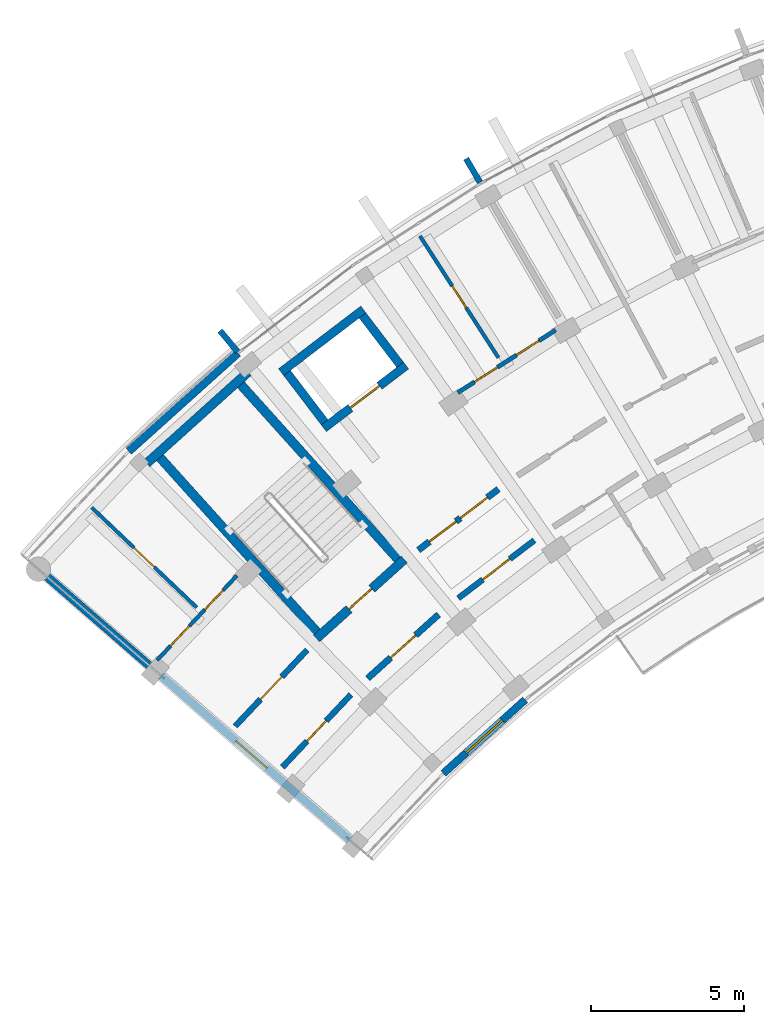
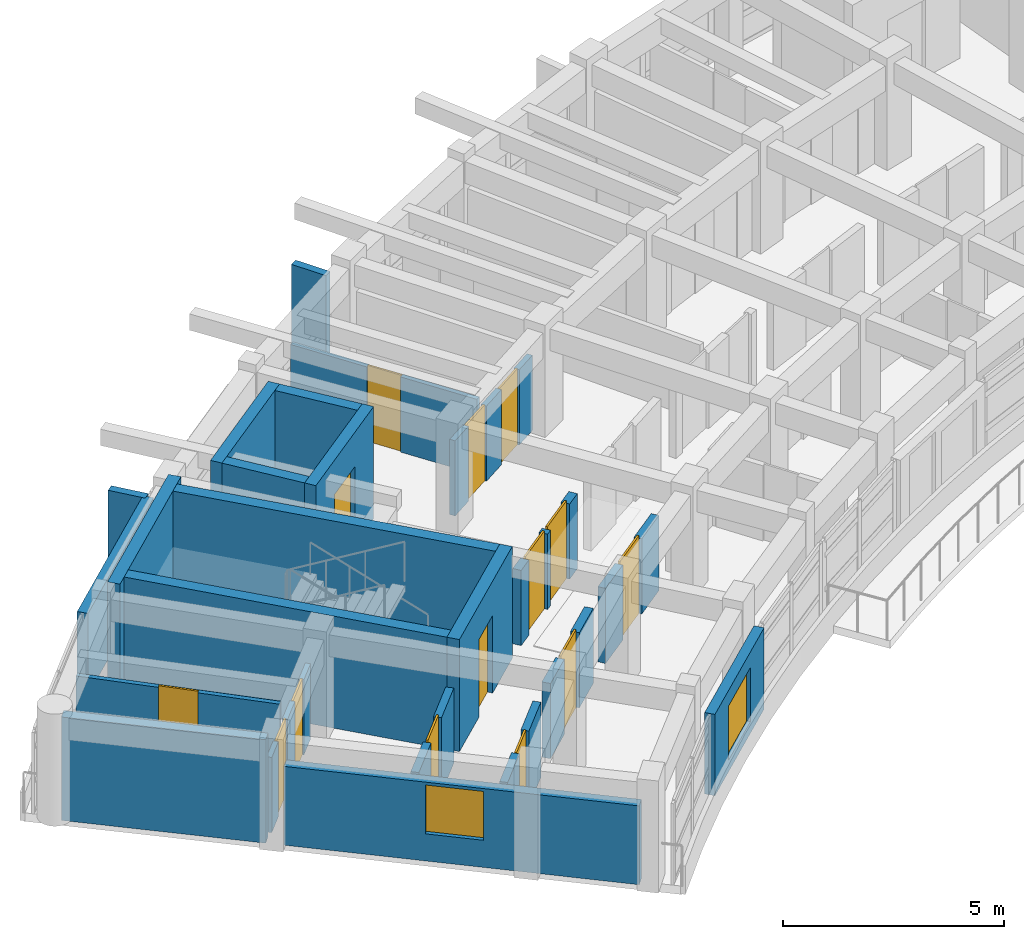
# One storey, part 27 of 56: 23 walls, 14 doors, 2 windows, 16 openings.
"""IFC4 building model written with IfcOpenShell, lengths in metres."""

from ifc_helpers import new_model, si_unit, direction, frame, frame_2d, origin, place, context, subcontext, project, spatial, rectangle, extrude, material, layer, layer_set, type_object, element, fill, save


model = new_model("IFC4")

# Units and contexts
model_context = context("Model", 3, precision=1e-05, world=origin(), true_north=direction((0.0, 1.0)))
body_context = subcontext(model_context, "Body", "Model", "MODEL_VIEW")
ifc_project = project(units=[si_unit("LENGTHUNIT", "METRE"), si_unit("AREAUNIT", "SQUARE_METRE"), si_unit("VOLUMEUNIT", "CUBIC_METRE"), si_unit("PLANEANGLEUNIT", "RADIAN"), si_unit("MASSUNIT", "GRAM", prefix="KILO")], contexts=[model_context])

# Site, building, storey
site_placement = place(None, origin())
site = spatial("IfcSite", under=ifc_project, at=site_placement, CompositionType="ELEMENT")
building_placement = place(site_placement, origin())
building = spatial("IfcBuilding", under=site, at=building_placement, Name="Zimvara Arc Housing Community", CompositionType="ELEMENT")
storey_placement = place(building_placement, frame((0.0, 0.0, 17.39990234375)))
storey = spatial("IfcBuildingStorey", under=building, at=storey_placement, Name="L05", CompositionType="ELEMENT", Elevation=17.39990234375)

# Wall, opening, window
ifc_material_1 = material(Name="Board-Marked Fair-Faced Concrete C35/45", Category="concrete")
ifc_layer_1 = layer(ifc_material_1, 0.264892578125)
ifc_layer_set_1 = layer_set([ifc_layer_1], Name="Board-Marked Fair-Faced Concrete C35/45")
wall_type_1 = type_object("IfcWallType", Name="EWL-CONC-265", PredefinedType="SOLIDWALL", material=ifc_layer_set_1)
wall_1_placement = place(storey_placement, frame((10.766357421875, 74.2587890625, 0.0), z_axis=(0.0, 0.0, 1.0), x_axis=(-0.754717680958, 0.656049710044, 0.0)))
wall_1 = element("IfcWall", 1, at=wall_1_placement, inside=storey, type_object=wall_type_1, Name="ewall:blkA:L05:g0", PredefinedType="SOLIDWALL", context=body_context, shape_type="SweptSolid", body=[
    extrude(rectangle(XDim=8.199951171875, YDim=0.264892578125, at=frame_2d((4.10009765625, 0.0))), origin(), (0.0, 0.0, 1.0), 2.18017578125),
])
opening_1_placement = place(wall_1_placement, frame((3.590087890625, 0.0, 0.75)))
opening_1 = element("IfcOpeningElement", 2, at=opening_1_placement, cuts=wall_1, Name="Opening W12", PredefinedType="OPENING", context=body_context, shape_type="SweptSolid", body=[
    extrude(rectangle(XDim=1.35009765625, YDim=1.35009765625, at=frame_2d((0.675048828125, 0.675048828125))), frame((0.0, 0.142333984375, 0.0), z_axis=(0.0, -1.0, 0.0), x_axis=(1.0, 0.0, 0.0)), (0.0, 0.0, 1.0), 0.284912109375),
])
ifc_material_2 = material(Name="Solar Control Low-E Double Glazing", Category="glass")
window_type_1 = type_object("IfcWindowType", Name="WIN-RES-1350x1350", PartitioningType="DOUBLE_PANEL_VERTICAL", PredefinedType="WINDOW", material=ifc_material_2)
window_1_placement = place(opening_1_placement, origin())
window_1 = element("IfcWindow", 3, at=window_1_placement, inside=storey, type_object=window_type_1, Name="win:blkA:L05:g0:w", OverallHeight=1.35009765625, OverallWidth=1.35009765625, PartitioningType="DOUBLE_PANEL_VERTICAL", PredefinedType="WINDOW", context=body_context, shape_type="SweptSolid", body=[
    extrude(rectangle(XDim=1.35009765625, YDim=1.35009765625, at=frame_2d((0.675048828125, 0.675048828125))), frame((0.0, 0.030029296875, 0.0), z_axis=(0.0, -1.0, 0.0), x_axis=(1.0, 0.0, 0.0)), (0.0, 0.0, 1.0), 0.06005859375),
])
fill(opening_1, window_1)

# Walls
ifc_material_3 = material(Name="Board-Marked Fair-Faced Concrete C35/45", Category="concrete")
ifc_layer_2 = layer(ifc_material_3, 0.195068359375)
ifc_layer_set_2 = layer_set([ifc_layer_2], Name="Board-Marked Fair-Faced Concrete C35/45")
wall_type_2 = type_object("IfcWallType", Name="EWL-PARA-195", PredefinedType="PARAPET", material=ifc_layer_set_2)
wall_2_placement = place(storey_placement, frame((7.09228515625, 90.25732421875, 0.0), z_axis=(0.0, 0.0, 1.0), x_axis=(-0.637967316825, 0.770063440674, 0.0)))
element("IfcWall", 4, at=wall_2_placement, inside=storey, type_object=wall_type_2, Name="finwall:blkA:L05:out:b2", PredefinedType="PARAPET", context=body_context, shape_type="SweptSolid", body=[
    extrude(rectangle(XDim=0.900146484375, YDim=0.195068359375, at=frame_2d((0.4501953125, 0.0))), origin(), (0.0, 0.0, 1.0), 2.25),
])
wall_3_placement = place(storey_placement, frame((15.038818359375, 95.8134765625, 0.0), z_axis=(0.0, 0.0, 1.0), x_axis=(-0.504326383773, 0.863513114336, 0.0)))
element("IfcWall", 5, at=wall_3_placement, inside=storey, type_object=wall_type_2, Name="finwall:blkA:L05:out:b4", PredefinedType="PARAPET", context=body_context, shape_type="SweptSolid", body=[
    extrude(rectangle(XDim=0.89990234375, YDim=0.195068359375, at=frame_2d((0.449951171875, 0.0))), origin(), (0.0, 0.0, 1.0), 2.25),
])

# Wall, opening, window
ifc_material_4 = material(Name="Pigmented Fair-Faced Concrete C35/45", Category="concrete")
ifc_layer_3 = layer(ifc_material_4, 0.2451171875)
ifc_layer_set_3 = layer_set([ifc_layer_3], Name="Pigmented Fair-Faced Concrete C35/45")
wall_type_3 = type_object("IfcWallType", Name="EWL-PIGM-245", PredefinedType="SOLIDWALL", material=ifc_layer_set_3)
wall_4_placement = place(storey_placement, frame((13.84033203125, 76.436767578125, 0.0), z_axis=(0.0, 0.0, 1.0), x_axis=(0.743385092197, 0.668863666751, 0.0)))
wall_4 = element("IfcWall", 6, at=wall_4_placement, inside=storey, type_object=wall_type_3, Name="ewall:blkA:L05:in:b1", PredefinedType="SOLIDWALL", context=body_context, shape_type="SweptSolid", body=[
    extrude(rectangle(XDim=3.603759765625, YDim=0.2451171875, at=frame_2d((1.8017578125, 0.0))), origin(), (0.0, 0.0, 1.0), 2.25),
])
opening_2_placement = place(wall_4_placement, frame((1.001708984375, 0.0, 0.320068359375)))
opening_2 = element("IfcOpeningElement", 7, at=opening_2_placement, cuts=wall_4, Name="Opening W03", PredefinedType="OPENING", context=body_context, shape_type="SweptSolid", body=[
    extrude(rectangle(XDim=1.60009765625, YDim=1.5, at=frame_2d((0.800048828125, 0.75))), frame((0.0, 0.132568359375, 0.0), z_axis=(0.0, -1.0, 0.0), x_axis=(1.0, 0.0, 0.0)), (0.0, 0.0, 1.0), 0.26513671875),
])
ifc_material_5 = material(Name="Solar Control Low-E Double Glazing", Category="glass")
window_type_2 = type_object("IfcWindowType", Name="WIN-RES-1600x1500", PartitioningType="DOUBLE_PANEL_VERTICAL", PredefinedType="WINDOW", material=ifc_material_5)
window_2_placement = place(opening_2_placement, origin())
window_2 = element("IfcWindow", 8, at=window_2_placement, inside=storey, type_object=window_type_2, Name="win:blkA:L05:in:b1", OverallHeight=1.5, OverallWidth=1.60009765625, PartitioningType="DOUBLE_PANEL_VERTICAL", PredefinedType="WINDOW", context=body_context, shape_type="SweptSolid", body=[
    extrude(rectangle(XDim=1.60009765625, YDim=1.5, at=frame_2d((0.800048828125, 0.75))), frame((0.0, 0.030029296875, 0.0), z_axis=(0.0, -1.0, 0.0), x_axis=(1.0, 0.0, 0.0)), (0.0, 0.0, 1.0), 0.06005859375),
])
fill(opening_2, window_2)

# Wall
ifc_material_6 = material(Name="Board-Marked Fair-Faced Concrete C35/45", Category="concrete")
ifc_layer_4 = layer(ifc_material_6, 0.258056640625)
ifc_layer_set_4 = layer_set([ifc_layer_4], Name="Board-Marked Fair-Faced Concrete C35/45")
wall_type_4 = type_object("IfcWallType", Name="EWL-VAR-19", PredefinedType="SOLIDWALL", material=ifc_layer_set_4)
wall_5_placement = place(storey_placement, frame((3.528076171875, 86.996826171875, 0.0), z_axis=(0.0, 0.0, 1.0), x_axis=(0.743387539862, 0.668860946369, 0.0)))
element("IfcWall", 9, at=wall_5_placement, inside=storey, type_object=wall_type_4, Name="ewall:blkA:L05:out:b1", PredefinedType="SOLIDWALL", context=body_context, shape_type="SweptSolid", body=[
    extrude(rectangle(XDim=4.80908203125, YDim=0.258056640625, at=frame_2d((2.404541015625, 0.0))), origin(), (0.0, 0.0, 1.0), 2.25),
])

# Wall, opening, door
ifc_material_7 = material(Name="Concrete C35/45", Category="concrete")
ifc_layer_5 = layer(ifc_material_7, 0.2099609375)
ifc_layer_set_5 = layer_set([ifc_layer_5], Name="Concrete C35/45")
wall_type_5 = type_object("IfcWallType", Name="IWL-CCF-210", PredefinedType="SOLIDWALL", material=ifc_layer_set_5)
wall_6_placement = place(storey_placement, frame((11.357177734375, 79.5517578125, 0.0), z_axis=(0.0, 0.0, 1.0), x_axis=(0.743387266925, 0.668861249718, 0.0)))
wall_6 = element("IfcWall", 10, at=wall_6_placement, inside=storey, type_object=wall_type_5, Name="iwall:blkA:L05:ccf_div:b1", PredefinedType="SOLIDWALL", context=body_context, shape_type="SweptSolid", body=[
    extrude(rectangle(XDim=3.12841796875, YDim=0.2099609375, at=frame_2d((1.564208984375, 0.0))), origin(), (0.0, 0.0, 1.0), 2.080078125),
])
opening_3_placement = place(wall_6_placement, frame((1.014404296875, 0.0, 0.0)))
opening_3 = element("IfcOpeningElement", 11, at=opening_3_placement, cuts=wall_6, Name="Opening FD-CCF1", PredefinedType="OPENING", context=body_context, shape_type="SweptSolid", body=[
    extrude(rectangle(XDim=1.10009765625, YDim=2.14990234375, at=frame_2d((0.550048828125, 1.074951171875))), frame((0.0, 0.114990234375, 0.0), z_axis=(0.0, -1.0, 0.0), x_axis=(1.0, 0.0, 0.0)), (0.0, 0.0, 1.0), 0.22998046875),
])
ifc_material_8 = material(Name="Anodised Aluminium AW-6063", Category="aluminium")
door_type_1 = type_object("IfcDoorType", Name="IDR-CCF-1100x2150", OperationType="NOTDEFINED", PredefinedType="DOOR", material=ifc_material_8)
door_1_placement = place(opening_3_placement, origin())
door_1 = element("IfcDoor", 12, at=door_1_placement, inside=storey, type_object=door_type_1, Name="idoor:blkA:L05:ccf_in:b1", OperationType="SINGLE_SWING_LEFT", OverallHeight=2.14990234375, OverallWidth=1.10009765625, PredefinedType="DOOR", context=body_context, shape_type="SweptSolid", body=[
    extrude(rectangle(XDim=1.10009765625, YDim=2.14990234375, at=frame_2d((0.550048828125, 1.074951171875))), frame((0.0, 0.02490234375, 0.0), z_axis=(0.0, -1.0, 0.0), x_axis=(1.0, 0.0, 0.0)), (0.0, 0.0, 1.0), 0.050048828125),
])
fill(opening_3, door_1)

# Wall, openings, doors
wall_7_placement = place(storey_placement, frame((13.021240234375, 83.758544921875, 0.0), z_axis=(0.0, 0.0, 1.0), x_axis=(0.795498026433, 0.605956178235, 0.0)))
wall_7 = element("IfcWall", 13, at=wall_7_placement, inside=storey, type_object=wall_type_5, Name="iwall:blkA:L05:ll_div:b2", PredefinedType="SOLIDWALL", context=body_context, shape_type="SweptSolid", body=[
    extrude(rectangle(XDim=3.296142578125, YDim=0.2099609375, at=frame_2d((1.64794921875, 0.0))), origin(), (0.0, 0.0, 1.0), 2.080078125),
])
opening_4_placement = place(wall_7_placement, frame((0.449951171875, 0.0, 0.0)))
opening_4 = element("IfcOpeningElement", 14, at=opening_4_placement, cuts=wall_7, Name="Opening FD-CCF1", PredefinedType="OPENING", context=body_context, shape_type="SweptSolid", body=[
    extrude(rectangle(XDim=1.10009765625, YDim=2.14990234375, at=frame_2d((0.550048828125, 1.074951171875))), frame((0.0, 0.114990234375, 0.0), z_axis=(0.0, -1.0, 0.0), x_axis=(1.0, 0.0, 0.0)), (0.0, 0.0, 1.0), 0.22998046875),
])
opening_5_placement = place(wall_7_placement, frame((1.72607421875, 0.0, 0.0)))
opening_5 = element("IfcOpeningElement", 15, at=opening_5_placement, cuts=wall_7, Name="Opening D07", PredefinedType="OPENING", context=body_context, shape_type="SweptSolid", body=[
    extrude(rectangle(XDim=1.1201171875, YDim=2.14990234375, at=frame_2d((0.56005859375, 1.074951171875))), frame((0.0, 0.114990234375, 0.0), z_axis=(0.0, -1.0, 0.0), x_axis=(1.0, 0.0, 0.0)), (0.0, 0.0, 1.0), 0.22998046875),
])
ifc_material_9 = material(Name="Mozambican Hardwood", Category="wood")
door_type_2 = type_object("IfcDoorType", Name="IDR-AMN-1120x2150", OperationType="NOTDEFINED", PredefinedType="DOOR", material=ifc_material_9)
door_2_placement = place(opening_5_placement, origin())
door_2 = element("IfcDoor", 16, at=door_2_placement, inside=storey, type_object=door_type_2, Name="idoor:blkA:L05:rs_in:b2", OperationType="SINGLE_SWING_LEFT", OverallHeight=2.14990234375, OverallWidth=1.1201171875, PredefinedType="DOOR", context=body_context, shape_type="SweptSolid", body=[
    extrude(rectangle(XDim=1.1201171875, YDim=2.14990234375, at=frame_2d((0.56005859375, 1.074951171875))), frame((0.0, 0.02490234375, 0.0), z_axis=(0.0, -1.0, 0.0), x_axis=(1.0, 0.0, 0.0)), (0.0, 0.0, 1.0), 0.050048828125),
])
fill(opening_5, door_2)
door_3_placement = place(opening_4_placement, origin())
door_3 = element("IfcDoor", 17, at=door_3_placement, inside=storey, type_object=door_type_1, Name="idoor:blkA:L05:ll_in:b2", OperationType="SINGLE_SWING_RIGHT", OverallHeight=2.14990234375, OverallWidth=1.10009765625, PredefinedType="DOOR", context=body_context, shape_type="SweptSolid", body=[
    extrude(rectangle(XDim=1.10009765625, YDim=2.14990234375, at=frame_2d((0.550048828125, 1.074951171875))), frame((0.0, 0.02490234375, 0.0), z_axis=(0.0, -1.0, 0.0), x_axis=(1.0, 0.0, 0.0)), (0.0, 0.0, 1.0), 0.050048828125),
])
fill(opening_4, door_3)

# Wall, opening, door
ifc_material_10 = material(Name="Concrete C35/45", Category="concrete")
ifc_layer_6 = layer(ifc_material_10, 0.18994140625)
ifc_layer_set_6 = layer_set([ifc_layer_6], Name="Concrete C35/45")
wall_type_6 = type_object("IfcWallType", Name="IWL-CORR-190", PredefinedType="SOLIDWALL", material=ifc_layer_set_6)
wall_8_placement = place(storey_placement, frame((7.01416015625, 77.98388671875, 0.0), z_axis=(0.0, 0.0, 1.0), x_axis=(0.686310507227, 0.727308660522, 0.0)))
wall_8 = element("IfcWall", 18, at=wall_8_placement, inside=storey, type_object=wall_type_6, Name="iwall:blkA:L05:corr_out:b0", PredefinedType="SOLIDWALL", context=body_context, shape_type="SweptSolid", body=[
    extrude(rectangle(XDim=3.43603515625, YDim=0.18994140625, at=frame_2d((1.718017578125, 0.0))), origin(), (0.0, 0.0, 1.0), 2.080078125),
])
opening_6_placement = place(wall_8_placement, frame((1.2080078125, 0.0, 0.0)))
opening_6 = element("IfcOpeningElement", 19, at=opening_6_placement, cuts=wall_8, Name="Opening FD-FL2", PredefinedType="OPENING", context=body_context, shape_type="SweptSolid", body=[
    extrude(rectangle(XDim=1.02001953125, YDim=2.14990234375, at=frame_2d((0.510009765625, 1.074951171875))), frame((0.0, 0.10498046875, 0.0), z_axis=(0.0, -1.0, 0.0), x_axis=(1.0, 0.0, 0.0)), (0.0, 0.0, 1.0), 0.2099609375),
])
ifc_material_11 = material(Name="Mozambican Hardwood", Category="wood")
door_type_3 = type_object("IfcDoorType", Name="IDR-FLAT-1020x2150", OperationType="NOTDEFINED", PredefinedType="DOOR", material=ifc_material_11)
door_4_placement = place(opening_6_placement, origin())
door_4 = element("IfcDoor", 20, at=door_4_placement, inside=storey, type_object=door_type_3, Name="idoor:blkA:L05:flat:b0", OperationType="SINGLE_SWING_RIGHT", OverallHeight=2.14990234375, OverallWidth=1.02001953125, PredefinedType="DOOR", context=body_context, shape_type="SweptSolid", body=[
    extrude(rectangle(XDim=1.02001953125, YDim=2.14990234375, at=frame_2d((0.510009765625, 1.074951171875))), frame((0.0, 0.02490234375, 0.0), z_axis=(0.0, -1.0, 0.0), x_axis=(1.0, 0.0, 0.0)), (0.0, 0.0, 1.0), 0.050048828125),
])
fill(opening_6, door_4)

wall_9_placement = place(storey_placement, frame((8.561279296875, 76.638916015625, 0.0), z_axis=(0.0, 0.0, 1.0), x_axis=(0.686307658735, 0.727311348434, 0.0)))
wall_9 = element("IfcWall", 21, at=wall_9_placement, inside=storey, type_object=wall_type_6, Name="iwall:blkA:L05:corr_in:b0", PredefinedType="SOLIDWALL", context=body_context, shape_type="SweptSolid", body=[
    extrude(rectangle(XDim=3.268798828125, YDim=0.18994140625, at=frame_2d((1.63427734375, 0.0))), origin(), (0.0, 0.0, 1.0), 2.080078125),
])
opening_7_placement = place(wall_9_placement, frame((1.17431640625, 0.0, 0.0)))
opening_7 = element("IfcOpeningElement", 22, at=opening_7_placement, cuts=wall_9, Name="Opening D02", PredefinedType="OPENING", context=body_context, shape_type="SweptSolid", body=[
    extrude(rectangle(XDim=0.919921875, YDim=2.10009765625, at=frame_2d((0.4599609375, 1.050048828125))), frame((0.0, 0.10498046875, 0.0), z_axis=(0.0, -1.0, 0.0), x_axis=(1.0, 0.0, 0.0)), (0.0, 0.0, 1.0), 0.2099609375),
])
ifc_material_12 = material(Name="Mozambican Hardwood", Category="wood")
door_type_4 = type_object("IfcDoorType", Name="IDR-RM-0920x2100", OperationType="NOTDEFINED", PredefinedType="DOOR", material=ifc_material_12)
door_5_placement = place(opening_7_placement, origin())
door_5 = element("IfcDoor", 23, at=door_5_placement, inside=storey, type_object=door_type_4, Name="idoor:blkA:L05:in_rm:b0", OperationType="SINGLE_SWING_LEFT", OverallHeight=2.10009765625, OverallWidth=0.919921875, PredefinedType="DOOR", context=body_context, shape_type="SweptSolid", body=[
    extrude(rectangle(XDim=0.919921875, YDim=2.10009765625, at=frame_2d((0.4599609375, 1.050048828125))), frame((0.0, 0.02490234375, 0.0), z_axis=(0.0, -1.0, 0.0), x_axis=(1.0, 0.0, 0.0)), (0.0, 0.0, 1.0), 0.050048828125),
])
fill(opening_7, door_5)

wall_10_placement = place(storey_placement, frame((14.3291015625, 82.179931640625, 0.0), z_axis=(0.0, 0.0, 1.0), x_axis=(0.795501577908, 0.605951515838, 0.0)))
wall_10 = element("IfcWall", 24, at=wall_10_placement, inside=storey, type_object=wall_type_6, Name="iwall:blkA:L05:ra_div:b2", PredefinedType="SOLIDWALL", context=body_context, shape_type="SweptSolid", body=[
    extrude(rectangle(XDim=3.128662109375, YDim=0.18994140625, at=frame_2d((1.564453125, 0.0))), origin(), (0.0, 0.0, 1.0), 2.080078125),
])
opening_8_placement = place(wall_10_placement, frame((1.00439453125, 0.0, 0.0)))
opening_8 = element("IfcOpeningElement", 25, at=opening_8_placement, cuts=wall_10, Name="Opening D07", PredefinedType="OPENING", context=body_context, shape_type="SweptSolid", body=[
    extrude(rectangle(XDim=1.1201171875, YDim=2.14990234375, at=frame_2d((0.56005859375, 1.074951171875))), frame((0.0, 0.10498046875, 0.0), z_axis=(0.0, -1.0, 0.0), x_axis=(1.0, 0.0, 0.0)), (0.0, 0.0, 1.0), 0.2099609375),
])
door_6_placement = place(opening_8_placement, origin())
door_6 = element("IfcDoor", 26, at=door_6_placement, inside=storey, type_object=door_type_2, Name="idoor:blkA:L05:ra_d:b2", OperationType="SINGLE_SWING_RIGHT", OverallHeight=2.14990234375, OverallWidth=1.1201171875, PredefinedType="DOOR", context=body_context, shape_type="SweptSolid", body=[
    extrude(rectangle(XDim=1.1201171875, YDim=2.14990234375, at=frame_2d((0.56005859375, 1.074951171875))), frame((0.0, 0.02490234375, 0.0), z_axis=(0.0, -1.0, 0.0), x_axis=(1.0, 0.0, 0.0)), (0.0, 0.0, 1.0), 0.050048828125),
])
fill(opening_8, door_6)

ifc_material_13 = material(Name="Painted Acoustic Plasterboard")
ifc_layer_7 = layer(ifc_material_13, 0.1201171875)
ifc_layer_set_7 = layer_set([ifc_layer_7], Name="Painted Acoustic Plasterboard")
wall_type_7 = type_object("IfcWallType", Name="IWL-PART-120", PredefinedType="PARTITIONING", material=ifc_layer_set_7)
wall_11_placement = place(storey_placement, frame((5.749267578125, 81.876708984375, 0.0), z_axis=(0.0, 0.0, 1.0), x_axis=(-0.724140375623, 0.689652605587, 0.0)))
wall_11 = element("IfcWall", 27, at=wall_11_placement, inside=storey, type_object=wall_type_7, Name="iwall:blkA:L05:bed_div:b0", PredefinedType="PARTITIONING", context=body_context, shape_type="SweptSolid", body=[
    extrude(rectangle(XDim=4.75, YDim=0.1201171875, at=frame_2d((2.375, 0.0))), origin(), (0.0, 0.0, 1.0), 2.080078125),
])
opening_9_placement = place(wall_11_placement, frame((1.9150390625, 0.0, 0.0)))
opening_9 = element("IfcOpeningElement", 28, at=opening_9_placement, cuts=wall_11, Name="Opening D02", PredefinedType="OPENING", context=body_context, shape_type="SweptSolid", body=[
    extrude(rectangle(XDim=0.919921875, YDim=2.10009765625, at=frame_2d((0.4599609375, 1.050048828125))), frame((0.0, 0.070068359375, 0.0), z_axis=(0.0, -1.0, 0.0), x_axis=(1.0, 0.0, 0.0)), (0.0, 0.0, 1.0), 0.14013671875),
])
door_7_placement = place(opening_9_placement, origin())
door_7 = element("IfcDoor", 29, at=door_7_placement, inside=storey, type_object=door_type_4, Name="idoor:blkA:L05:bed_d:b0", OperationType="SINGLE_SWING_RIGHT", OverallHeight=2.10009765625, OverallWidth=0.919921875, PredefinedType="DOOR", context=body_context, shape_type="SweptSolid", body=[
    extrude(rectangle(XDim=0.919921875, YDim=2.10009765625, at=frame_2d((0.4599609375, 1.050048828125))), frame((0.0, 0.02490234375, 0.0), z_axis=(0.0, -1.0, 0.0), x_axis=(1.0, 0.0, 0.0)), (0.0, 0.0, 1.0), 0.050048828125),
])
fill(opening_9, door_7)

wall_12_placement = place(storey_placement, frame((15.64501953125, 90.0625, 0.0), z_axis=(0.0, 0.0, 1.0), x_axis=(-0.541596414291, 0.840638640574, 0.0)))
wall_12 = element("IfcWall", 30, at=wall_12_placement, inside=storey, type_object=wall_type_7, Name="iwall:blkA:L05:bed_div:b3", PredefinedType="PARTITIONING", context=body_context, shape_type="SweptSolid", body=[
    extrude(rectangle(XDim=4.749755859375, YDim=0.1201171875, at=frame_2d((2.375, 0.0))), origin(), (0.0, 0.0, 1.0), 2.080078125),
])
opening_10_placement = place(wall_12_placement, frame((1.949951171875, 0.0, 0.0)))
opening_10 = element("IfcOpeningElement", 31, at=opening_10_placement, cuts=wall_12, Name="Opening D11", PredefinedType="OPENING", context=body_context, shape_type="SweptSolid", body=[
    extrude(rectangle(XDim=0.85009765625, YDim=2.10009765625, at=frame_2d((0.425048828125, 1.050048828125))), frame((0.0, 0.070068359375, 0.0), z_axis=(0.0, -1.0, 0.0), x_axis=(1.0, 0.0, 0.0)), (0.0, 0.0, 1.0), 0.14013671875),
])
ifc_material_14 = material(Name="Mozambican Hardwood", Category="wood")
door_type_5 = type_object("IfcDoorType", Name="IDR-MOD-850x2060", OperationType="NOTDEFINED", PredefinedType="DOOR", material=ifc_material_14)
door_8_placement = place(opening_10_placement, origin())
door_8 = element("IfcDoor", 32, at=door_8_placement, inside=storey, type_object=door_type_5, Name="idoor:blkA:L05:bed_d:b3", OperationType="SINGLE_SWING_RIGHT", OverallHeight=2.10009765625, OverallWidth=0.85009765625, PredefinedType="DOOR", context=body_context, shape_type="SweptSolid", body=[
    extrude(rectangle(XDim=0.85009765625, YDim=2.10009765625, at=frame_2d((0.425048828125, 1.050048828125))), frame((0.0, 0.02490234375, 0.0), z_axis=(0.0, -1.0, 0.0), x_axis=(1.0, 0.0, 0.0)), (0.0, 0.0, 1.0), 0.050048828125),
])
fill(opening_10, door_8)

# Wall, openings, doors
ifc_material_15 = material(Name="Painted Acoustic Plasterboard")
ifc_layer_8 = layer(ifc_material_15, 0.125)
ifc_layer_set_8 = layer_set([ifc_layer_8], Name="Painted Acoustic Plasterboard")
wall_type_8 = type_object("IfcWallType", Name="IWL-PART-125", PredefinedType="PARTITIONING", material=ifc_layer_set_8)
wall_13_placement = place(storey_placement, frame((4.45166015625, 80.145263671875, 0.0), z_axis=(0.0, 0.0, 1.0), x_axis=(0.686301674417, 0.727316995327, 0.0)))
wall_13 = element("IfcWall", 33, at=wall_13_placement, inside=storey, type_object=wall_type_8, Name="iwall:blkA:L05:srv:b0", PredefinedType="PARTITIONING", context=body_context, shape_type="SweptSolid", body=[
    extrude(rectangle(XDim=3.8095703125, YDim=0.125, at=frame_2d((1.90478515625, 0.0))), origin(), (0.0, 0.0, 1.0), 2.080078125),
])
opening_11_placement = place(wall_13_placement, frame((0.64990234375, 0.0, 0.0)))
opening_11 = element("IfcOpeningElement", 34, at=opening_11_placement, cuts=wall_13, Name="Opening D01", PredefinedType="OPENING", context=body_context, shape_type="SweptSolid", body=[
    extrude(rectangle(XDim=0.89990234375, YDim=2.10009765625, at=frame_2d((0.449951171875, 1.050048828125))), frame((0.0, 0.072509765625, 0.0), z_axis=(0.0, -1.0, 0.0), x_axis=(1.0, 0.0, 0.0)), (0.0, 0.0, 1.0), 0.14501953125),
])
opening_12_placement = place(wall_13_placement, frame((2.279541015625, 0.0, 0.0)))
opening_12 = element("IfcOpeningElement", 35, at=opening_12_placement, cuts=wall_13, Name="Opening D05", PredefinedType="OPENING", context=body_context, shape_type="SweptSolid", body=[
    extrude(rectangle(XDim=0.8798828125, YDim=2.10009765625, at=frame_2d((0.43994140625, 1.050048828125))), frame((0.0, 0.072509765625, 0.0), z_axis=(0.0, -1.0, 0.0), x_axis=(1.0, 0.0, 0.0)), (0.0, 0.0, 1.0), 0.14501953125),
])
ifc_material_16 = material(Name="Mozambican Hardwood", Category="wood")
door_type_6 = type_object("IfcDoorType", Name="IDR-RM-0900x2100", OperationType="NOTDEFINED", PredefinedType="DOOR", material=ifc_material_16)
door_9_placement = place(opening_11_placement, origin())
door_9 = element("IfcDoor", 36, at=door_9_placement, inside=storey, type_object=door_type_6, Name="idoor:blkA:L05:kit_liv:b0", OperationType="SINGLE_SWING_RIGHT", OverallHeight=2.10009765625, OverallWidth=0.89990234375, PredefinedType="DOOR", context=body_context, shape_type="SweptSolid", body=[
    extrude(rectangle(XDim=0.89990234375, YDim=2.10009765625, at=frame_2d((0.449951171875, 1.050048828125))), frame((0.0, 0.02490234375, 0.0), z_axis=(0.0, -1.0, 0.0), x_axis=(1.0, 0.0, 0.0)), (0.0, 0.0, 1.0), 0.050048828125),
])
fill(opening_11, door_9)
ifc_material_17 = material(Name="Mozambican Hardwood", Category="wood")
door_type_7 = type_object("IfcDoorType", Name="IDR-WC-0880x2100", OperationType="NOTDEFINED", PredefinedType="DOOR", material=ifc_material_17)
door_10_placement = place(opening_12_placement, origin())
door_10 = element("IfcDoor", 37, at=door_10_placement, inside=storey, type_object=door_type_7, Name="idoor:blkA:L05:bath_d:b0", OperationType="SINGLE_SWING_LEFT", OverallHeight=2.10009765625, OverallWidth=0.8798828125, PredefinedType="DOOR", context=body_context, shape_type="SweptSolid", body=[
    extrude(rectangle(XDim=0.8798828125, YDim=2.10009765625, at=frame_2d((0.43994140625, 1.050048828125))), frame((0.0, 0.02490234375, 0.0), z_axis=(0.0, -1.0, 0.0), x_axis=(1.0, 0.0, 0.0)), (0.0, 0.0, 1.0), 0.050048828125),
])
fill(opening_12, door_10)

ifc_material_18 = material(Name="Painted Acoustic Plasterboard")
ifc_layer_9 = layer(ifc_material_18, 0.139892578125)
ifc_layer_set_9 = layer_set([ifc_layer_9], Name="Painted Acoustic Plasterboard")
wall_type_9 = type_object("IfcWallType", Name="IWL-PART-140", PredefinedType="PARTITIONING", material=ifc_layer_set_9)
wall_14_placement = place(storey_placement, frame((14.310546875, 88.91748046875, 0.0), z_axis=(0.0, 0.0, 1.0), x_axis=(0.842238809758, 0.53910461632, 0.0)))
wall_14 = element("IfcWall", 38, at=wall_14_placement, inside=storey, type_object=wall_type_9, Name="iwall:blkA:L05:srv:b3", PredefinedType="PARTITIONING", context=body_context, shape_type="SweptSolid", body=[
    extrude(rectangle(XDim=3.8095703125, YDim=0.139892578125, at=frame_2d((1.90478515625, 0.0))), origin(), (0.0, 0.0, 1.0), 2.080078125),
])
opening_13_placement = place(wall_14_placement, frame((0.64990234375, 0.0, 0.0)))
opening_13 = element("IfcOpeningElement", 39, at=opening_13_placement, cuts=wall_14, Name="Opening D01", PredefinedType="OPENING", context=body_context, shape_type="SweptSolid", body=[
    extrude(rectangle(XDim=0.89990234375, YDim=2.10009765625, at=frame_2d((0.449951171875, 1.050048828125))), frame((0.0, 0.079833984375, 0.0), z_axis=(0.0, -1.0, 0.0), x_axis=(1.0, 0.0, 0.0)), (0.0, 0.0, 1.0), 0.159912109375),
])
opening_14_placement = place(wall_14_placement, frame((2.279541015625, 0.0, 0.0)))
opening_14 = element("IfcOpeningElement", 40, at=opening_14_placement, cuts=wall_14, Name="Opening D05", PredefinedType="OPENING", context=body_context, shape_type="SweptSolid", body=[
    extrude(rectangle(XDim=0.8798828125, YDim=2.10009765625, at=frame_2d((0.43994140625, 1.050048828125))), frame((0.0, 0.079833984375, 0.0), z_axis=(0.0, -1.0, 0.0), x_axis=(1.0, 0.0, 0.0)), (0.0, 0.0, 1.0), 0.159912109375),
])
door_11_placement = place(opening_13_placement, origin())
door_11 = element("IfcDoor", 41, at=door_11_placement, inside=storey, type_object=door_type_6, Name="idoor:blkA:L05:kit_liv:b3", OperationType="SINGLE_SWING_RIGHT", OverallHeight=2.10009765625, OverallWidth=0.89990234375, PredefinedType="DOOR", context=body_context, shape_type="SweptSolid", body=[
    extrude(rectangle(XDim=0.89990234375, YDim=2.10009765625, at=frame_2d((0.449951171875, 1.050048828125))), frame((0.0, 0.02490234375, 0.0), z_axis=(0.0, -1.0, 0.0), x_axis=(1.0, 0.0, 0.0)), (0.0, 0.0, 1.0), 0.050048828125),
])
fill(opening_13, door_11)
door_12_placement = place(opening_14_placement, origin())
door_12 = element("IfcDoor", 42, at=door_12_placement, inside=storey, type_object=door_type_7, Name="idoor:blkA:L05:bath_d:b3", OperationType="SINGLE_SWING_LEFT", OverallHeight=2.10009765625, OverallWidth=0.8798828125, PredefinedType="DOOR", context=body_context, shape_type="SweptSolid", body=[
    extrude(rectangle(XDim=0.8798828125, YDim=2.10009765625, at=frame_2d((0.43994140625, 1.050048828125))), frame((0.0, 0.02490234375, 0.0), z_axis=(0.0, -1.0, 0.0), x_axis=(1.0, 0.0, 0.0)), (0.0, 0.0, 1.0), 0.050048828125),
])
fill(opening_14, door_12)

# Wall, opening, door
ifc_material_19 = material(Name="Concrete C40/50", Category="concrete")
ifc_layer_10 = layer(ifc_material_19, 0.280029296875)
ifc_layer_set_10 = layer_set([ifc_layer_10], Name="Concrete C40/50")
wall_type_10 = type_object("IfcWallType", Name="WL-CORE-280", PredefinedType="SHEAR", material=ifc_layer_set_10)
wall_15_placement = place(storey_placement, frame((12.615966796875, 89.80712890625, 0.0), z_axis=(0.0, 0.0, 1.0), x_axis=(-0.795474703455, -0.605986795371, 0.0)))
wall_15 = element("IfcWall", 43, at=wall_15_placement, inside=storey, type_object=wall_type_10, Name="lwall:LF-A1:L05:front", PredefinedType="SHEAR", context=body_context, shape_type="SweptSolid", body=[
    extrude(rectangle(XDim=3.389892578125, YDim=0.280029296875, at=frame_2d((1.69482421875, 0.0))), origin(), (0.0, 0.0, 1.0), 3.10009765625),
])
opening_15_placement = place(wall_15_placement, frame((1.094970703125, 0.0, 0.0)))
opening_15 = element("IfcOpeningElement", 44, at=opening_15_placement, cuts=wall_15, Name="Opening LD-LF-A1", PredefinedType="OPENING", context=body_context, shape_type="SweptSolid", body=[
    extrude(rectangle(XDim=1.199951171875, YDim=2.14990234375, at=frame_2d((0.60009765625, 1.074951171875))), frame((0.0, 0.14990234375, 0.0), z_axis=(0.0, -1.0, 0.0), x_axis=(1.0, 0.0, 0.0)), (0.0, 0.0, 1.0), 0.300048828125),
])
ifc_material_20 = material(Name="Anodised Aluminium AW-6063", Category="aluminium")
door_type_8 = type_object("IfcDoorType", Name="IDR-LD-1200x2150", OperationType="DOUBLE_DOOR_SLIDING", PredefinedType="DOOR", material=ifc_material_20)
door_13_placement = place(opening_15_placement, origin())
door_13 = element("IfcDoor", 45, at=door_13_placement, inside=storey, type_object=door_type_8, Name="Lift LF-A1 Sliding Landing Door L05", OperationType="DOUBLE_DOOR_SLIDING", OverallHeight=2.14990234375, OverallWidth=1.199951171875, PredefinedType="DOOR", context=body_context, shape_type="SweptSolid", body=[
    extrude(rectangle(XDim=1.199951171875, YDim=2.14990234375, at=frame_2d((0.60009765625, 1.074951171875))), frame((0.0, 0.02490234375, 0.0), z_axis=(0.0, -1.0, 0.0), x_axis=(1.0, 0.0, 0.0)), (0.0, 0.0, 1.0), 0.050048828125),
])
fill(opening_15, door_13)

# Walls
wall_16_placement = place(storey_placement, frame((11.216064453125, 91.644775390625, 0.0), z_axis=(0.0, 0.0, 1.0), x_axis=(-0.795439986025, -0.606032365994, 0.0)))
element("IfcWall", 46, at=wall_16_placement, inside=storey, type_object=wall_type_10, Name="lwall:LF-A1:L05:back", PredefinedType="SHEAR", context=body_context, shape_type="SweptSolid", body=[
    extrude(rectangle(XDim=3.389892578125, YDim=0.280029296875, at=frame_2d((1.69482421875, 0.0))), origin(), (0.0, 0.0, 1.0), 3.10009765625),
])
wall_17_placement = place(storey_placement, frame((12.419677734375, 89.833740234375, 0.0), z_axis=(0.0, 0.0, 1.0), x_axis=(-0.605948992168, 0.795503500238, 0.0)))
element("IfcWall", 47, at=wall_17_placement, inside=storey, type_object=wall_type_10, Name="lwall:LF-A1:L05:left", PredefinedType="SHEAR", context=body_context, shape_type="SweptSolid", body=[
    extrude(rectangle(XDim=2.02978515625, YDim=0.280029296875, at=frame_2d((1.014892578125, 0.0))), origin(), (0.0, 0.0, 1.0), 3.10009765625),
])
wall_18_placement = place(storey_placement, frame((9.94580078125, 87.948974609375, 0.0), z_axis=(0.0, 0.0, 1.0), x_axis=(-0.605891019062, 0.795547656033, 0.0)))
element("IfcWall", 48, at=wall_18_placement, inside=storey, type_object=wall_type_10, Name="lwall:LF-A1:L05:right", PredefinedType="SHEAR", context=body_context, shape_type="SweptSolid", body=[
    extrude(rectangle(XDim=2.030029296875, YDim=0.280029296875, at=frame_2d((1.01513671875, 0.0))), origin(), (0.0, 0.0, 1.0), 3.10009765625),
])

# Wall, opening, door
ifc_material_21 = material(Name="Concrete C40/50", Category="concrete")
ifc_layer_11 = layer(ifc_material_21, 0.300048828125)
ifc_layer_set_11 = layer_set([ifc_layer_11], Name="Concrete C40/50")
wall_type_11 = type_object("IfcWallType", Name="WL-CORE-300", PredefinedType="SHEAR", material=ifc_layer_set_11)
wall_19_placement = place(storey_placement, frame((12.556884765625, 83.4501953125, 0.0), z_axis=(0.0, 0.0, 1.0), x_axis=(-0.743375696158, -0.668874109501, 0.0)))
wall_19 = element("IfcWall", 49, at=wall_19_placement, inside=storey, type_object=wall_type_11, Name="cwall:ST-A1:L05:near", PredefinedType="SHEAR", context=body_context, shape_type="SweptSolid", body=[
    extrude(rectangle(XDim=3.8701171875, YDim=0.300048828125, at=frame_2d((1.93505859375, 0.0))), origin(), (0.0, 0.0, 1.0), 3.10009765625),
])
opening_16_placement = place(wall_19_placement, frame((1.43505859375, 0.0, 0.0)))
opening_16 = element("IfcOpeningElement", 50, at=opening_16_placement, cuts=wall_19, Name="Opening FD-ST1", PredefinedType="OPENING", context=body_context, shape_type="SweptSolid", body=[
    extrude(rectangle(XDim=1.0, YDim=2.14990234375, at=frame_2d((0.5, 1.074951171875))), frame((0.0, 0.159912109375, 0.0), z_axis=(0.0, -1.0, 0.0), x_axis=(1.0, 0.0, 0.0)), (0.0, 0.0, 1.0), 0.320068359375),
])
ifc_material_22 = material(Name="Anodised Aluminium AW-6063", Category="aluminium")
door_type_9 = type_object("IfcDoorType", Name="IDR-ST-1000x2150", OperationType="NOTDEFINED", PredefinedType="DOOR", material=ifc_material_22)
door_14_placement = place(opening_16_placement, origin())
door_14 = element("IfcDoor", 51, at=door_14_placement, inside=storey, type_object=door_type_9, Name="idoor:ST-A1:L05:entry", OperationType="SINGLE_SWING_LEFT", OverallHeight=2.14990234375, OverallWidth=1.0, PredefinedType="DOOR", context=body_context, shape_type="SweptSolid", body=[
    extrude(rectangle(XDim=1.0, YDim=2.14990234375, at=frame_2d((0.5, 1.074951171875))), frame((0.0, 0.02490234375, 0.0), z_axis=(0.0, -1.0, 0.0), x_axis=(1.0, 0.0, 0.0)), (0.0, 0.0, 1.0), 0.050048828125),
])
fill(opening_16, door_14)

# Walls
wall_20_placement = place(storey_placement, frame((7.435546875, 89.59033203125, 0.0), z_axis=(0.0, 0.0, 1.0), x_axis=(-0.743400052815, -0.668847038922, 0.0)))
element("IfcWall", 52, at=wall_20_placement, inside=storey, type_object=wall_type_11, Name="cwall:ST-A1:L05:far", PredefinedType="SHEAR", context=body_context, shape_type="SweptSolid", body=[
    extrude(rectangle(XDim=4.469970703125, YDim=0.300048828125, at=frame_2d((2.23486328125, 0.0))), origin(), (0.0, 0.0, 1.0), 3.10009765625),
])
wall_21_placement = place(storey_placement, frame((12.344970703125, 83.461181640625, 0.0), z_axis=(0.0, 0.0, 1.0), x_axis=(-0.668868253964, 0.743380964808, 0.0)))
element("IfcWall", 53, at=wall_21_placement, inside=storey, type_object=wall_type_11, Name="cwall:ST-A1:L05:left", PredefinedType="SHEAR", context=body_context, shape_type="SweptSolid", body=[
    extrude(rectangle(XDim=7.68994140625, YDim=0.300048828125, at=frame_2d((3.844970703125, 0.0))), origin(), (0.0, 0.0, 1.0), 3.10009765625),
])
wall_22_placement = place(storey_placement, frame((9.691162109375, 81.073486328125, 0.0), z_axis=(0.0, 0.0, 1.0), x_axis=(-0.668885797871, 0.743365179038, 0.0)))
element("IfcWall", 54, at=wall_22_placement, inside=storey, type_object=wall_type_11, Name="cwall:ST-A1:L05:right", PredefinedType="SHEAR", context=body_context, shape_type="SweptSolid", body=[
    extrude(rectangle(XDim=7.690185546875, YDim=0.300048828125, at=frame_2d((3.84521484375, 0.0))), origin(), (0.0, 0.0, 1.0), 3.10009765625),
])
ifc_material_23 = material(Name="Concrete C40/50", Category="concrete")
ifc_layer_12 = layer(ifc_material_23, 0.27001953125)
ifc_layer_set_12 = layer_set([ifc_layer_12], Name="Concrete C40/50")
wall_type_12 = type_object("IfcWallType", Name="WL-SHEAR-270", PredefinedType="SHEAR", material=ifc_layer_set_12)
wall_23_placement = place(storey_placement, frame((4.2607421875, 79.9140625, 0.0), z_axis=(0.0, 0.0, 1.0), x_axis=(-0.754703505217, 0.65606601742, 0.0)))
element("IfcWall", 55, at=wall_23_placement, inside=storey, type_object=wall_type_12, Name="swall:blkA:L05:west", PredefinedType="SHEAR", context=body_context, shape_type="SweptSolid", body=[
    extrude(rectangle(XDim=4.719970703125, YDim=0.27001953125, at=frame_2d((2.35986328125, 0.0))), origin(), (0.0, 0.0, 1.0), 2.860107421875),
])

save(model, "model.ifc")
